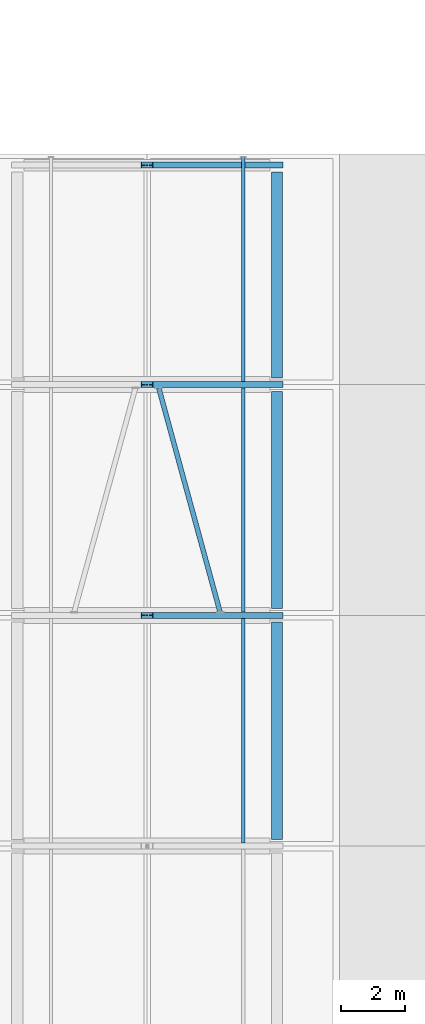
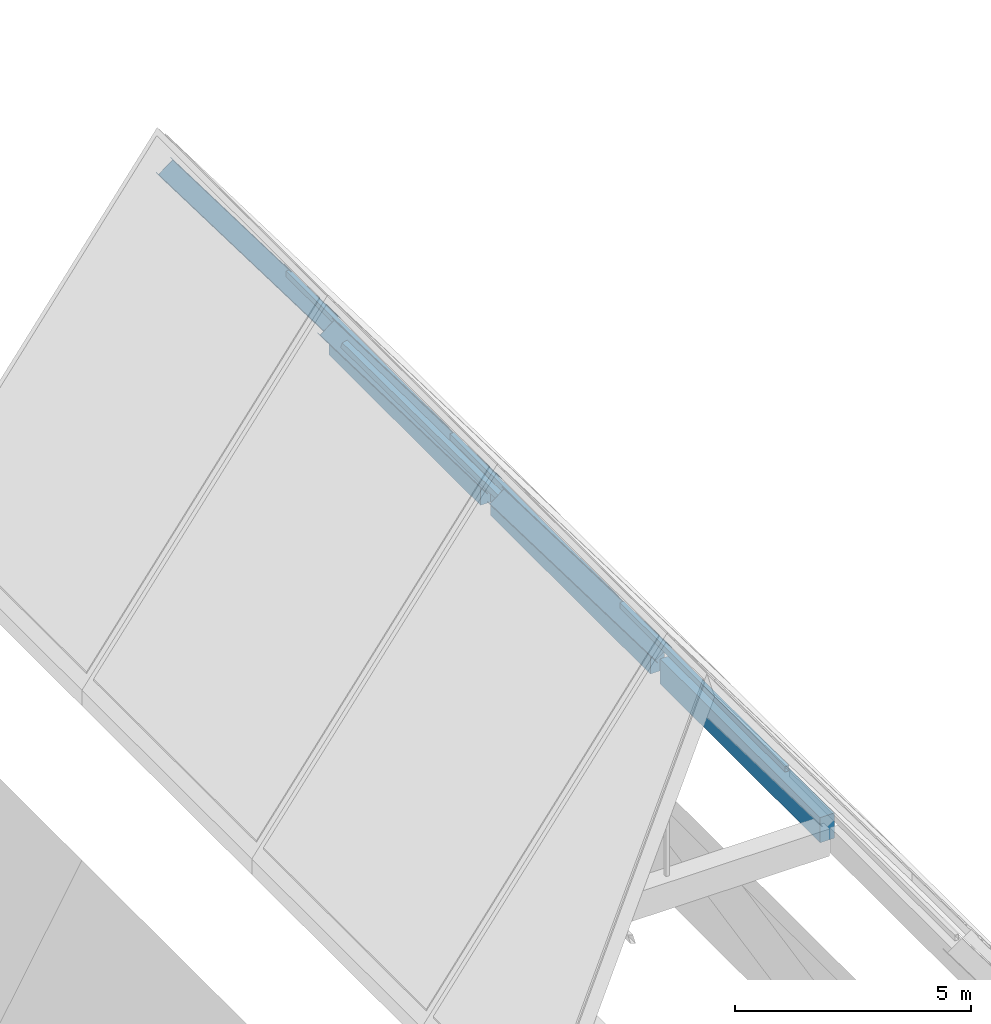
# One storey, part 8 of 29: 7 members, 3 beams.
"""IFC4 building model written with IfcOpenShell, lengths in metres."""

from ifc_helpers import new_model, si_unit, derived_unit, direction, frame, origin, origin_2d, place, context, subcontext, project, spatial, rectangle, hollow_rectangle, i_section, extrude, material, material_profile, profile_set, type_object, element, save


model = new_model("IFC4")

# Units and contexts
model_context = context("Model", 3, precision=1e-05, world=origin(), true_north=direction((0.0, 1.0)))
body_context = subcontext(model_context, "Body", "Model", "MODEL_VIEW")
ifc_project = project(units=[si_unit("LENGTHUNIT", "METRE"), si_unit("AREAUNIT", "SQUARE_METRE"), si_unit("VOLUMEUNIT", "CUBIC_METRE"), si_unit("PLANEANGLEUNIT", "RADIAN"), si_unit("MASSUNIT", "GRAM", prefix="KILO"), derived_unit("THERMALTRANSMITTANCEUNIT", [(si_unit("MASSUNIT", "GRAM", prefix="KILO"), 1), (si_unit("TIMEUNIT", "SECOND"), -3), (si_unit("THERMODYNAMICTEMPERATUREUNIT", "KELVIN"), -1)])], contexts=[model_context])

# Site, building, storey
site_placement = place(None, origin())
site = spatial("IfcSite", under=ifc_project, at=site_placement, CompositionType="ELEMENT")
building_placement = place(site_placement, origin())
building = spatial("IfcBuilding", under=site, at=building_placement, Name="Ochrekiln Boulevard Commons", CompositionType="ELEMENT")
storey_placement = place(building_placement, frame((0.0, 0.0, 37.27490234375)))
storey = spatial("IfcBuildingStorey", under=building, at=storey_placement, Name="L11", CompositionType="ELEMENT", Elevation=37.27490234375)

# Members
ifc_material_1 = material(Name="Steel A500 Grade C", Category="steel")
ifc_material_profile_1 = material_profile(ifc_material_1, hollow_rectangle(XDim=0.14990234375, YDim=0.14990234375, WallThickness=0.009521484375, at=origin_2d()), Name="HSS150X150X9.5")
ifc_profile_set_1 = profile_set([ifc_material_profile_1], Name="Steel A500 Grade C")
member_type_1 = type_object("IfcMemberType", Name="MEM-BRC-HSS150", PredefinedType="BRACE", material=ifc_profile_set_1)
member_placement = place(storey_placement, frame((162.47998046875, 36.090087890625, 2.054931640625), z_axis=(-0.24851311751, 0.908665587598, 0.335511669456), x_axis=(-0.964576236245, -0.263804254081, 0.0)))
element("IfcMember", 1, at=member_placement, inside=storey, type_object=member_type_1, Name="Block C Roof Diagonal Brace 6E", PredefinedType="BRACE", context=body_context, shape_type="SweptSolid", body=[
    extrude(hollow_rectangle(XDim=0.14990234375, YDim=0.14990234375, WallThickness=0.009521484375, at=origin_2d()), origin(), (0.0, 0.0, 1.0), 7.7255859375),
])
ifc_material_profile_2 = material_profile(ifc_material_1, hollow_rectangle(XDim=0.10009765625, YDim=0.14990234375, WallThickness=0.00634765625, at=origin_2d()), Name="HSS150X100X6.4")
ifc_profile_set_2 = profile_set([ifc_material_profile_2], Name="Steel A500 Grade C")
member_type_2 = type_object("IfcMemberType", Name="MEM-PUR-HSS150X100", PredefinedType="PURLIN", material=ifc_profile_set_2)
for number, where, z_axis, x_axis, name in (
    (2, (163.199951171875, 28.89990234375, 1.3408203125), (0.0, 1.0, 0.0), (-1.0, 0.0, 0.0), "Block C Roof Purlin 5E.1"),
    (3, (163.199951171875, 36.10009765625, 1.3408203125), (0.0, 1.0, 0.0), (-1.0, 0.0, 0.0), "Block C Roof Purlin 6E.1"),
    (4, (163.199951171875, 43.300048828125, 1.3408203125), (0.0, 1.0, 0.0), (-1.0, 0.0, 0.0), "Block C Roof Purlin 7E.1"),
):
    element("IfcMember", number, at=place(storey_placement, frame(where, z_axis=z_axis, x_axis=x_axis)), inside=storey, type_object=member_type_2, Name=name, PredefinedType="PURLIN", context=body_context, shape_type="SweptSolid", body=[
        extrude(hollow_rectangle(XDim=0.10009765625, YDim=0.14990234375, WallThickness=0.00634765625, at=origin_2d()), origin(), (0.0, 0.0, 1.0), 7.0),
    ])
ifc_material_2 = material(Name="Steel A992 Grade 50", Category="steel")
ifc_material_profile_3 = material_profile(ifc_material_2, i_section(OverallWidth=0.19091796875, OverallDepth=0.45703125, WebThickness=0.009033203125, FlangeThickness=0.014404296875, at=origin_2d()), Name="W18X50")
ifc_profile_set_3 = profile_set([ifc_material_profile_3], Name="Steel A992 Grade 50")
member_type_3 = type_object("IfcMemberType", Name="MEM-RAF-W18X50", PredefinedType="RAFTER", material=ifc_profile_set_3)
for number, where, z_axis, x_axis, name in (
    (5, (164.25, 36.0, -0.33447265625), (-0.595230124903, 0.0, 0.803555286467), (0.0, -1.0, 0.0), "Block C Steep Gable Rafter 6E"),
    (6, (164.25, 43.199951171875, -0.33447265625), (-0.595230124903, 0.0, 0.803555286467), (0.0, -1.0, 0.0), "Block C Steep Gable Rafter 7E"),
    (7, (164.25, 50.050048828125, -0.33447265625), (-0.595230124903, 0.0, 0.803555286467), (0.0, -1.0, 0.0), "Block C Steep Gable Rafter 8E"),
):
    element("IfcMember", number, at=place(storey_placement, frame(where, z_axis=z_axis, x_axis=x_axis)), inside=storey, type_object=member_type_3, Name=name, PredefinedType="RAFTER", context=body_context, shape_type="SweptSolid", body=[
        extrude(i_section(OverallWidth=0.19091796875, OverallDepth=0.45703125, WebThickness=0.009033203125, FlangeThickness=0.014404296875, at=origin_2d()), origin(), (0.0, 0.0, 1.0), 6.80419921875),
    ])

# Beams
ifc_material_3 = material(Name="Concrete C40/50", Category="concrete")
ifc_material_profile_4 = material_profile(ifc_material_3, rectangle(XDim=0.35009765625, YDim=0.64990234375, at=origin_2d()), Name="RC-SPN-350x650")
ifc_profile_set_4 = profile_set([ifc_material_profile_4], Name="Concrete C40/50")
beam_type = type_object("IfcBeamType", Name="SPN-RC-350x650", PredefinedType="SPANDREL", material=ifc_profile_set_4)
for number, where, z_axis, x_axis, name in (
    (8, (164.25, 29.010009765625, -0.625), (0.0, 1.0, 0.0), (-1.0, 0.0, 0.0), "Block C L11 Beam SP-3565 Y20"),
    (9, (164.25, 36.2099609375, -0.625), (0.0, 1.0, 0.0), (-1.0, 0.0, 0.0), "Block C L11 Beam SP-3565 Y21"),
):
    element("IfcBeam", number, at=place(storey_placement, frame(where, z_axis=z_axis, x_axis=x_axis)), inside=storey, type_object=beam_type, Name=name, PredefinedType="SPANDREL", context=body_context, shape_type="SweptSolid", body=[
        extrude(rectangle(XDim=0.35009765625, YDim=0.64990234375, at=origin_2d()), origin(), (0.0, 0.0, 1.0), 6.780029296875),
    ])
beam_placement = place(storey_placement, frame((164.25, 43.409912109375, -0.625), z_axis=(0.0, 1.0, 0.0), x_axis=(-1.0, 0.0, 0.0)))
element("IfcBeam", 10, at=beam_placement, inside=storey, type_object=beam_type, Name="Block C L11 Beam SP-3565 Y22", PredefinedType="SPANDREL", context=body_context, shape_type="SweptSolid", body=[
    extrude(rectangle(XDim=0.35009765625, YDim=0.64990234375, at=origin_2d()), origin(), (0.0, 0.0, 1.0), 6.43017578125),
])

save(model, "model.ifc")
